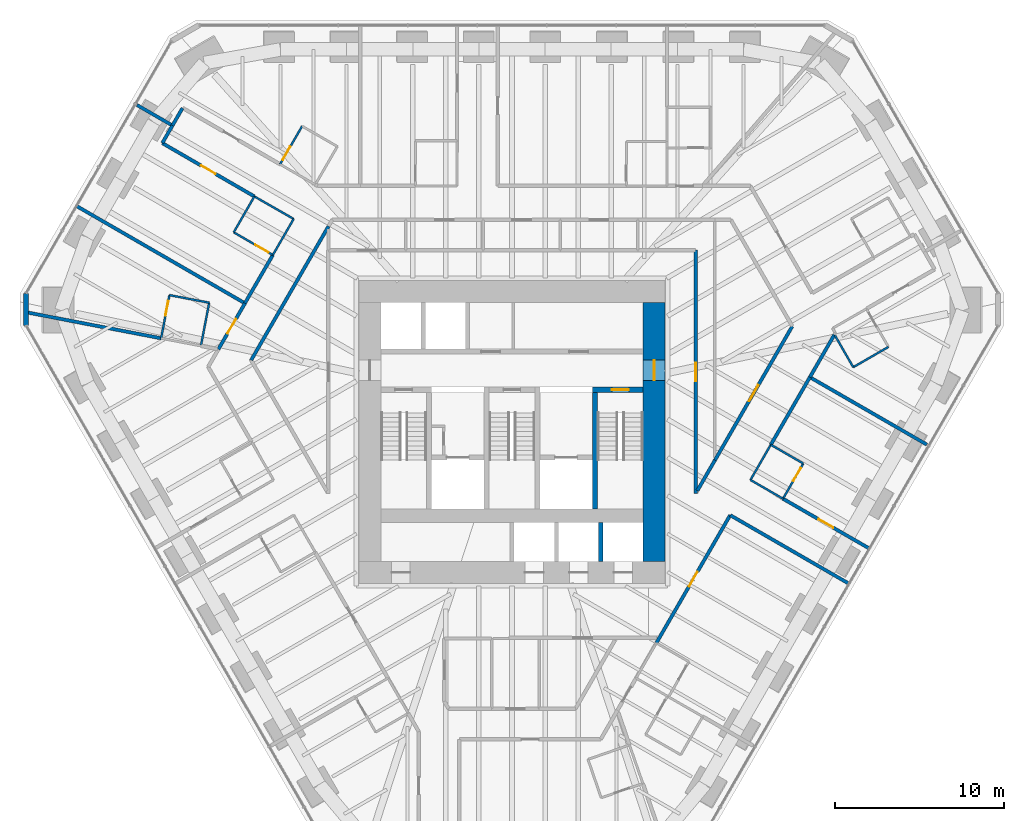
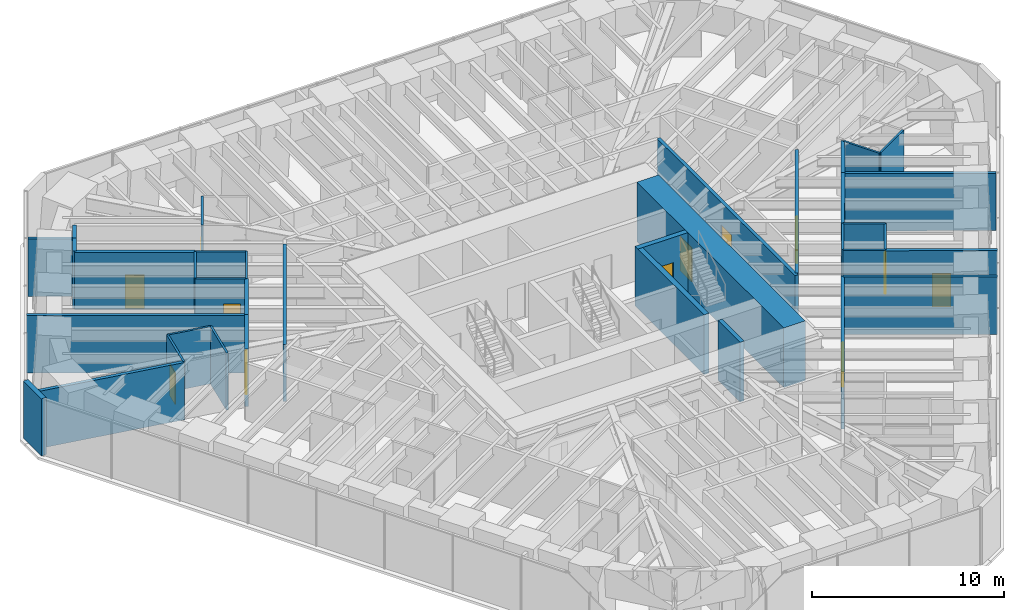
# One storey, part 13 of 17: 37 walls, 12 doors, 12 openings.
"""IFC4 building model written with IfcOpenShell, lengths in metres."""

from ifc_helpers import new_model, si_unit, direction, frame, frame_2d, origin, place, context, subcontext, project, spatial, rectangle, extrude, material, layer, layer_set, type_object, element, fill, save


model = new_model("IFC4")

# Units and contexts
model_context = context("Model", 3, precision=1e-05, world=origin(), true_north=direction((0.0, 1.0)))
body_context = subcontext(model_context, "Body", "Model", "MODEL_VIEW")
ifc_project = project(units=[si_unit("LENGTHUNIT", "METRE"), si_unit("AREAUNIT", "SQUARE_METRE"), si_unit("VOLUMEUNIT", "CUBIC_METRE"), si_unit("PLANEANGLEUNIT", "RADIAN"), si_unit("MASSUNIT", "GRAM", prefix="KILO")], contexts=[model_context])

# Site, building, storey
site_placement = place(None, origin())
site = spatial("IfcSite", under=ifc_project, at=site_placement, CompositionType="ELEMENT")
building_placement = place(site_placement, origin())
building = spatial("IfcBuilding", under=site, at=building_placement, Name="Sandreach Pilgrim Tower", CompositionType="ELEMENT")
storey_placement = place(building_placement, frame((0.0, 0.0, 150.0)))
storey = spatial("IfcBuildingStorey", under=building, at=storey_placement, Name="L37", CompositionType="ELEMENT", Elevation=150.0)

# Wall, opening, door
ifc_material_1 = material(Name="Moisture-resistant gypsum board on steel studs", Category="steel")
ifc_layer_1 = layer(ifc_material_1, 0.1201171875)
ifc_layer_set_1 = layer_set([ifc_layer_1], Name="Bathroom partition 120")
wall_type_1 = type_object("IfcWallType", Name="Bathroom partition 120", PredefinedType="PARTITIONING", material=ifc_layer_set_1)
wall_1_placement = place(storey_placement, frame((-20.239990234375, 6.5400390625, 0.0), z_axis=(0.0, 0.0, 1.0), x_axis=(-0.188697442844, -0.982035271802, 0.0)))
wall_1 = element("IfcWall", 1, at=wall_1_placement, inside=storey, type_object=wall_type_1, Name="Bathroom partition L37-007", PredefinedType="PARTITIONING", context=body_context, shape_type="SweptSolid", body=[
    extrude(rectangle(XDim=2.5966796875, YDim=0.1201171875, at=frame_2d((1.29833984375, 0.0))), origin(), (0.0, 0.0, 1.0), 3.639892578125),
])
opening_1_placement = place(wall_1_placement, frame((0.35009765625, 0.0, 0.0)))
opening_1 = element("IfcOpeningElement", 2, at=opening_1_placement, cuts=wall_1, Name="Opening D09-14B", PredefinedType="OPENING", context=body_context, shape_type="SweptSolid", body=[
    extrude(rectangle(XDim=0.89990234375, YDim=2.030029296875, at=frame_2d((0.449951171875, 1.01513671875))), frame((0.0, 0.06005859375, 0.0), z_axis=(0.0, -1.0, 0.0), x_axis=(1.0, 0.0, 0.0)), (0.0, 0.0, 1.0), 0.1201171875),
])
ifc_material_2 = material(Name="Timber door, steel frame", Category="steel")
door_type_1 = type_object("IfcDoorType", Name="Bathroom door", OperationType="SINGLE_SWING_LEFT", PredefinedType="DOOR", material=ifc_material_2)
door_1_placement = place(opening_1_placement, origin())
door_1 = element("IfcDoor", 3, at=door_1_placement, inside=storey, type_object=door_type_1, Name="Door 3714B", OperationType="SINGLE_SWING_LEFT", OverallHeight=2.030029296875, OverallWidth=0.89990234375, PredefinedType="DOOR", context=body_context, shape_type="SweptSolid", body=[
    extrude(rectangle(XDim=0.89990234375, YDim=2.030029296875, at=frame_2d((0.449951171875, 1.01513671875))), frame((0.0, 0.02490234375, 0.0), z_axis=(0.0, -1.0, 0.0), x_axis=(1.0, 0.0, 0.0)), (0.0, 0.0, 1.0), 0.050048828125),
])
fill(opening_1, door_1)

# Walls
wall_2_placement = place(storey_placement, frame((-18.3798828125, 3.5400390625, 0.0), z_axis=(0.0, 0.0, 1.0), x_axis=(0.188697442844, 0.982035271802, 0.0)))
element("IfcWall", 4, at=wall_2_placement, inside=storey, type_object=wall_type_1, Name="Bathroom partition L37-013", PredefinedType="PARTITIONING", context=body_context, shape_type="SweptSolid", body=[
    extrude(rectangle(XDim=2.5966796875, YDim=0.1201171875, at=frame_2d((1.29833984375, 0.0))), origin(), (0.0, 0.0, 1.0), 3.639892578125),
])
wall_3_placement = place(storey_placement, frame((-17.889892578125, 6.090087890625, 0.0), z_axis=(0.0, 0.0, 1.0), x_axis=(-0.982160404505, 0.18804504732, 0.0)))
element("IfcWall", 5, at=wall_3_placement, inside=storey, type_object=wall_type_1, Name="Bathroom partition L37-016", PredefinedType="PARTITIONING", context=body_context, shape_type="SweptSolid", body=[
    extrude(rectangle(XDim=2.392822265625, YDim=0.1201171875, at=frame_2d((1.1962890625, 0.0))), origin(), (0.0, 0.0, 1.0), 3.639892578125),
])

# Wall, opening, door
wall_4_placement = place(storey_placement, frame((-16.43994140625, 10.25, 0.0), z_axis=(0.0, 0.0, 1.0), x_axis=(0.864966903181, -0.501828911485, 0.0)))
wall_4 = element("IfcWall", 6, at=wall_4_placement, inside=storey, type_object=wall_type_1, Name="Bathroom partition L37-019", PredefinedType="PARTITIONING", context=body_context, shape_type="SweptSolid", body=[
    extrude(rectangle(XDim=2.67041015625, YDim=0.1201171875, at=frame_2d((1.335205078125, 0.0))), origin(), (0.0, 0.0, 1.0), 3.639892578125),
])
opening_2_placement = place(wall_4_placement, frame((1.470458984375, 0.0, 0.0)))
opening_2 = element("IfcOpeningElement", 7, at=opening_2_placement, cuts=wall_4, Name="Opening D09-15B", PredefinedType="OPENING", context=body_context, shape_type="SweptSolid", body=[
    extrude(rectangle(XDim=0.89990234375, YDim=2.030029296875, at=frame_2d((0.449951171875, 1.01513671875))), frame((0.0, 0.06005859375, 0.0), z_axis=(0.0, -1.0, 0.0), x_axis=(1.0, 0.0, 0.0)), (0.0, 0.0, 1.0), 0.1201171875),
])
door_2_placement = place(opening_2_placement, origin())
door_2 = element("IfcDoor", 8, at=door_2_placement, inside=storey, type_object=door_type_1, Name="Door 3715B", OperationType="SINGLE_SWING_RIGHT", OverallHeight=2.030029296875, OverallWidth=0.89990234375, PredefinedType="DOOR", context=body_context, shape_type="SweptSolid", body=[
    extrude(rectangle(XDim=0.89990234375, YDim=2.030029296875, at=frame_2d((0.449951171875, 1.01513671875))), frame((0.0, 0.02490234375, 0.0), z_axis=(0.0, -1.0, 0.0), x_axis=(1.0, 0.0, 0.0)), (0.0, 0.0, 1.0), 0.050048828125),
])
fill(opening_2, door_2)

# Walls
wall_5_placement = place(storey_placement, frame((-15.219970703125, 12.3701171875, 0.0), z_axis=(0.0, 0.0, 1.0), x_axis=(-0.498748634132, -0.866746675766, 0.0)))
element("IfcWall", 9, at=wall_5_placement, inside=storey, type_object=wall_type_1, Name="Bathroom partition L37-025", PredefinedType="PARTITIONING", context=body_context, shape_type="SweptSolid", body=[
    extrude(rectangle(XDim=2.446044921875, YDim=0.1201171875, at=frame_2d((1.22314453125, 0.0))), origin(), (0.0, 0.0, 1.0), 3.639892578125),
])
wall_6_placement = place(storey_placement, frame((-15.219970703125, 12.3701171875, 0.0), z_axis=(0.0, 0.0, 1.0), x_axis=(0.867545659855, -0.497357545501, 0.0)))
element("IfcWall", 10, at=wall_6_placement, inside=storey, type_object=wall_type_1, Name="Bathroom partition L37-026", PredefinedType="PARTITIONING", context=body_context, shape_type="SweptSolid", body=[
    extrude(rectangle(XDim=2.67431640625, YDim=0.1201171875, at=frame_2d((1.337158203125, 0.0))), origin(), (0.0, 0.0, 1.0), 3.639892578125),
])
wall_7_placement = place(storey_placement, frame((-14.1298828125, 8.909912109375, 0.0), z_axis=(0.0, 0.0, 1.0), x_axis=(0.500046071023, 0.865998803033, 0.0)))
element("IfcWall", 11, at=wall_7_placement, inside=storey, type_object=wall_type_1, Name="Bathroom partition L37-030", PredefinedType="PARTITIONING", context=body_context, shape_type="SweptSolid", body=[
    extrude(rectangle(XDim=2.459716796875, YDim=0.1201171875, at=frame_2d((1.22998046875, 0.0))), origin(), (0.0, 0.0, 1.0), 3.639892578125),
])

# Wall, opening, door
wall_8_placement = place(storey_placement, frame((-12.39990234375, 16.52001953125, 0.0), z_axis=(0.0, 0.0, 1.0), x_axis=(-0.500291685314, -0.865856933682, 0.0)))
wall_8 = element("IfcWall", 12, at=wall_8_placement, inside=storey, type_object=wall_type_1, Name="Bathroom partition L37-034", PredefinedType="PARTITIONING", context=body_context, shape_type="SweptSolid", body=[
    extrude(rectangle(XDim=2.5986328125, YDim=0.1201171875, at=frame_2d((1.29931640625, 0.0))), origin(), (0.0, 0.0, 1.0), 3.639892578125),
])
opening_3_placement = place(wall_8_placement, frame((1.398681640625, 0.0, 0.0)))
opening_3 = element("IfcOpeningElement", 13, at=opening_3_placement, cuts=wall_8, Name="Opening D09-01B", PredefinedType="OPENING", context=body_context, shape_type="SweptSolid", body=[
    extrude(rectangle(XDim=0.89990234375, YDim=2.030029296875, at=frame_2d((0.449951171875, 1.01513671875))), frame((0.0, 0.06005859375, 0.0), z_axis=(0.0, -1.0, 0.0), x_axis=(1.0, 0.0, 0.0)), (0.0, 0.0, 1.0), 0.1201171875),
])
door_3_placement = place(opening_3_placement, origin())
door_3 = element("IfcDoor", 14, at=door_3_placement, inside=storey, type_object=door_type_1, Name="Door 3701B", OperationType="SINGLE_SWING_RIGHT", OverallHeight=2.030029296875, OverallWidth=0.89990234375, PredefinedType="DOOR", context=body_context, shape_type="SweptSolid", body=[
    extrude(rectangle(XDim=0.89990234375, YDim=2.030029296875, at=frame_2d((0.449951171875, 1.01513671875))), frame((0.0, 0.02490234375, 0.0), z_axis=(0.0, -1.0, 0.0), x_axis=(1.0, 0.0, 0.0)), (0.0, 0.0, 1.0), 0.050048828125),
])
fill(opening_3, door_3)

# Walls
wall_9_placement = place(storey_placement, frame((14.090087890625, -4.3798828125, 0.0), z_axis=(0.0, 0.0, 1.0), x_axis=(0.499737123639, 0.866177122335, 0.0)))
element("IfcWall", 15, at=wall_9_placement, inside=storey, type_object=wall_type_1, Name="Bathroom partition L37-126", PredefinedType="PARTITIONING", context=body_context, shape_type="SweptSolid", body=[
    extrude(rectangle(XDim=2.401123046875, YDim=0.1201171875, at=frame_2d((1.20068359375, 0.0))), origin(), (0.0, 0.0, 1.0), 3.639892578125),
])
wall_10_placement = place(storey_placement, frame((14.090087890625, -4.3798828125, 0.0), z_axis=(0.0, 0.0, 1.0), x_axis=(0.865705017107, -0.500554515868, 0.0)))
element("IfcWall", 16, at=wall_10_placement, inside=storey, type_object=wall_type_1, Name="Bathroom partition L37-127", PredefinedType="PARTITIONING", context=body_context, shape_type="SweptSolid", body=[
    extrude(rectangle(XDim=2.2177734375, YDim=0.1201171875, at=frame_2d((1.10888671875, 0.0))), origin(), (0.0, 0.0, 1.0), 3.639892578125),
])

# Wall, opening, door
wall_11_placement = place(storey_placement, frame((16.010009765625, -5.489990234375, 0.0), z_axis=(0.0, 0.0, 1.0), x_axis=(0.499693115345, 0.866202511239, 0.0)))
wall_11 = element("IfcWall", 17, at=wall_11_placement, inside=storey, type_object=wall_type_1, Name="Bathroom partition L37-129", PredefinedType="PARTITIONING", context=body_context, shape_type="SweptSolid", body=[
    extrude(rectangle(XDim=2.4013671875, YDim=0.1201171875, at=frame_2d((1.20068359375, 0.0))), origin(), (0.0, 0.0, 1.0), 3.639892578125),
])
opening_4_placement = place(wall_11_placement, frame((1.201416015625, 0.0, 0.0)))
opening_4 = element("IfcOpeningElement", 18, at=opening_4_placement, cuts=wall_11, Name="Opening D09-07B", PredefinedType="OPENING", context=body_context, shape_type="SweptSolid", body=[
    extrude(rectangle(XDim=0.89990234375, YDim=2.030029296875, at=frame_2d((0.449951171875, 1.01513671875))), frame((0.0, 0.06005859375, 0.0), z_axis=(0.0, -1.0, 0.0), x_axis=(1.0, 0.0, 0.0)), (0.0, 0.0, 1.0), 0.1201171875),
])
door_4_placement = place(opening_4_placement, origin())
door_4 = element("IfcDoor", 19, at=door_4_placement, inside=storey, type_object=door_type_1, Name="Door 3707B", OperationType="SINGLE_SWING_RIGHT", OverallHeight=2.030029296875, OverallWidth=0.89990234375, PredefinedType="DOOR", context=body_context, shape_type="SweptSolid", body=[
    extrude(rectangle(XDim=0.89990234375, YDim=2.030029296875, at=frame_2d((0.449951171875, 1.01513671875))), frame((0.0, 0.02490234375, 0.0), z_axis=(0.0, -1.0, 0.0), x_axis=(1.0, 0.0, 0.0)), (0.0, 0.0, 1.0), 0.050048828125),
])
fill(opening_4, door_4)

# Walls
wall_12_placement = place(storey_placement, frame((17.2099609375, -3.409912109375, 0.0), z_axis=(0.0, 0.0, 1.0), x_axis=(-0.86575271903, 0.500472006703, 0.0)))
element("IfcWall", 20, at=wall_12_placement, inside=storey, type_object=wall_type_1, Name="Bathroom partition L37-132", PredefinedType="PARTITIONING", context=body_context, shape_type="SweptSolid", body=[
    extrude(rectangle(XDim=2.217529296875, YDim=0.1201171875, at=frame_2d((1.10888671875, 0.0))), origin(), (0.0, 0.0, 1.0), 3.639892578125),
])
wall_13_placement = place(storey_placement, frame((19.074951171875, 4.166748046875, 0.0), z_axis=(0.0, 0.0, 1.0), x_axis=(0.498504844819, -0.866886912862, 0.0)))
element("IfcWall", 21, at=wall_13_placement, inside=storey, type_object=wall_type_1, Name="Bathroom partition L37-138", PredefinedType="PARTITIONING", context=body_context, shape_type="SweptSolid", body=[
    extrude(rectangle(XDim=2.176513671875, YDim=0.1201171875, at=frame_2d((1.08837890625, 0.0))), origin(), (0.0, 0.0, 1.0), 3.639892578125),
])
wall_14_placement = place(storey_placement, frame((20.159912109375, 2.280029296875, 0.0), z_axis=(0.0, 0.0, 1.0), x_axis=(0.866202511239, 0.499693115345, 0.0)))
element("IfcWall", 22, at=wall_14_placement, inside=storey, type_object=wall_type_1, Name="Bathroom partition L37-142", PredefinedType="PARTITIONING", context=body_context, shape_type="SweptSolid", body=[
    extrude(rectangle(XDim=2.4013671875, YDim=0.1201171875, at=frame_2d((1.20068359375, 0.0))), origin(), (0.0, 0.0, 1.0), 3.639892578125),
])
ifc_material_3 = material(Name="Concrete 10000 psi", Category="concrete")
ifc_layer_2 = layer(ifc_material_3, 0.300048828125)
ifc_layer_set_2 = layer_set([ifc_layer_2], Name="Core inner wall 300")
wall_type_2 = type_object("IfcWallType", Name="Core inner wall 300", PredefinedType="SHEAR", material=ifc_layer_set_2)
wall_15_placement = place(storey_placement, frame((4.89990234375, -6.10009765625, 0.0), z_axis=(0.0, 0.0, 1.0), x_axis=(0.0, 1.0, 0.0)))
element("IfcWall", 23, at=wall_15_placement, inside=storey, type_object=wall_type_2, Name="Core wall I3 L37", PredefinedType="SHEAR", context=body_context, shape_type="SweptSolid", body=[
    extrude(rectangle(XDim=7.2001953125, YDim=0.300048828125, at=frame_2d((3.60009765625, 0.0))), origin(), (0.0, 0.0, 1.0), 3.800048828125),
])

# Wall, opening, door
wall_16_placement = place(storey_placement, frame((4.75, 0.949951171875, 0.0), z_axis=(0.0, 0.0, 1.0), x_axis=(1.0, 0.0, 0.0)))
wall_16 = element("IfcWall", 24, at=wall_16_placement, inside=storey, type_object=wall_type_2, Name="Core wall SN2 L37", PredefinedType="SHEAR", context=body_context, shape_type="SweptSolid", body=[
    extrude(rectangle(XDim=3.0, YDim=0.300048828125, at=frame_2d((1.5, 0.0))), origin(), (0.0, 0.0, 1.0), 3.800048828125),
])
opening_5_placement = place(wall_16_placement, frame((1.14990234375, 0.0, 0.0)))
opening_5 = element("IfcOpeningElement", 25, at=opening_5_placement, cuts=wall_16, Name="Opening D10S-ST2", PredefinedType="OPENING", context=body_context, shape_type="SweptSolid", body=[
    extrude(rectangle(XDim=1.0, YDim=2.199951171875, at=frame_2d((0.5, 1.10009765625))), frame((0.0, 0.14990234375, 0.0), z_axis=(0.0, -1.0, 0.0), x_axis=(1.0, 0.0, 0.0)), (0.0, 0.0, 1.0), 0.300048828125),
])
ifc_material_4 = material(Name="Steel door and frame", Category="steel")
door_type_2 = type_object("IfcDoorType", Name="Stair door", OperationType="SINGLE_SWING_LEFT", PredefinedType="DOOR", material=ifc_material_4)
door_5_placement = place(opening_5_placement, origin())
door_5 = element("IfcDoor", 26, at=door_5_placement, inside=storey, type_object=door_type_2, Name="Stair door ST2 L37", OperationType="SINGLE_SWING_RIGHT", OverallHeight=2.199951171875, OverallWidth=1.0, PredefinedType="DOOR", context=body_context, shape_type="SweptSolid", body=[
    extrude(rectangle(XDim=1.0, YDim=2.199951171875, at=frame_2d((0.5, 1.10009765625))), frame((0.0, 0.02490234375, 0.0), z_axis=(0.0, -1.0, 0.0), x_axis=(1.0, 0.0, 0.0)), (0.0, 0.0, 1.0), 0.050048828125),
])
fill(opening_5, door_5)

ifc_material_5 = material(Name="Concrete 10000 psi", Category="concrete")
ifc_layer_3 = layer(ifc_material_5, 1.300048828125)
ifc_layer_set_3 = layer_set([ifc_layer_3], Name="Core wall 1300")
wall_type_3 = type_object("IfcWallType", Name="Core wall 1300", PredefinedType="SHEAR", material=ifc_layer_set_3)
wall_17_placement = place(storey_placement, frame((8.39990234375, -9.199951171875, 0.0), z_axis=(0.0, 0.0, 1.0), x_axis=(0.0, 1.0, 0.0)))
wall_17 = element("IfcWall", 27, at=wall_17_placement, inside=storey, type_object=wall_type_3, Name="Core wall E L37", PredefinedType="SHEAR", context=body_context, shape_type="SweptSolid", body=[
    extrude(rectangle(XDim=15.300048828125, YDim=1.300048828125, at=frame_2d((7.64990234375, 0.0))), origin(), (0.0, 0.0, 1.0), 3.800048828125),
])
opening_6_placement = place(wall_17_placement, frame((10.699951171875, 0.0, 0.0)))
opening_6 = element("IfcOpeningElement", 28, at=opening_6_placement, cuts=wall_17, Name="Opening D12F-E", PredefinedType="OPENING", context=body_context, shape_type="SweptSolid", body=[
    extrude(rectangle(XDim=1.199951171875, YDim=2.199951171875, at=frame_2d((0.60009765625, 1.10009765625))), frame((0.0, 0.64990234375, 0.0), z_axis=(0.0, -1.0, 0.0), x_axis=(1.0, 0.0, 0.0)), (0.0, 0.0, 1.0), 1.300048828125),
])
ifc_material_6 = material(Name="Steel door and frame", Category="steel")
door_type_3 = type_object("IfcDoorType", Name="Fire lobby door", OperationType="SINGLE_SWING_LEFT", PredefinedType="DOOR", material=ifc_material_6)
door_6_placement = place(opening_6_placement, origin())
door_6 = element("IfcDoor", 29, at=door_6_placement, inside=storey, type_object=door_type_3, Name="Fire service lobby door E L37", OperationType="SINGLE_SWING_RIGHT", OverallHeight=2.199951171875, OverallWidth=1.199951171875, PredefinedType="DOOR", context=body_context, shape_type="SweptSolid", body=[
    extrude(rectangle(XDim=1.199951171875, YDim=2.199951171875, at=frame_2d((0.60009765625, 1.10009765625))), frame((0.0, 0.02490234375, 0.0), z_axis=(0.0, -1.0, 0.0), x_axis=(1.0, 0.0, 0.0)), (0.0, 0.0, 1.0), 0.050048828125),
])
fill(opening_6, door_6)

ifc_material_7 = material(Name="Gypsum board on steel studs, two layers each side", Category="steel")
ifc_layer_4 = layer(ifc_material_7, 0.199951171875)
ifc_layer_set_4 = layer_set([ifc_layer_4], Name="Corridor wall 200")
wall_type_4 = type_object("IfcWallType", Name="Corridor wall 200", PredefinedType="PARTITIONING", material=ifc_layer_set_4)
wall_18_placement = place(storey_placement, frame((-20.659912109375, 15.52001953125, 0.0), z_axis=(0.0, 0.0, 1.0), x_axis=(0.86537753305, -0.501120469839, 0.0)))
wall_18 = element("IfcWall", 30, at=wall_18_placement, inside=storey, type_object=wall_type_4, Name="Corridor wall L37-005", PredefinedType="PARTITIONING", context=body_context, shape_type="SweptSolid", body=[
    extrude(rectangle(XDim=6.2861328125, YDim=0.199951171875, at=frame_2d((3.14306640625, 0.0))), origin(), (0.0, 0.0, 1.0), 3.639892578125),
])
opening_7_placement = place(wall_18_placement, frame((2.64306640625, 0.0, 0.0)))
opening_7 = element("IfcOpeningElement", 31, at=opening_7_placement, cuts=wall_18, Name="Opening D10-15", PredefinedType="OPENING", context=body_context, shape_type="SweptSolid", body=[
    extrude(rectangle(XDim=1.0, YDim=2.1298828125, at=frame_2d((0.5, 1.06494140625))), frame((0.0, 0.10009765625, 0.0), z_axis=(0.0, -1.0, 0.0), x_axis=(1.0, 0.0, 0.0)), (0.0, 0.0, 1.0), 0.199951171875),
])
ifc_material_8 = material(Name="Steel door and frame", Category="steel")
door_type_4 = type_object("IfcDoorType", Name="Guest room entry door", OperationType="SINGLE_SWING_LEFT", PredefinedType="DOOR", material=ifc_material_8)
door_7_placement = place(opening_7_placement, origin())
door_7 = element("IfcDoor", 32, at=door_7_placement, inside=storey, type_object=door_type_4, Name="Door 3715", OperationType="SINGLE_SWING_LEFT", OverallHeight=2.1298828125, OverallWidth=1.0, PredefinedType="DOOR", context=body_context, shape_type="SweptSolid", body=[
    extrude(rectangle(XDim=1.0, YDim=2.1298828125, at=frame_2d((0.5, 1.06494140625))), frame((0.0, 0.02490234375, 0.0), z_axis=(0.0, -1.0, 0.0), x_axis=(1.0, 0.0, 0.0)), (0.0, 0.0, 1.0), 0.050048828125),
])
fill(opening_7, door_7)

# Walls
wall_19_placement = place(storey_placement, frame((-20.655029296875, 15.528564453125, 0.0), z_axis=(0.0, 0.0, 1.0), x_axis=(0.49964553876, 0.86622995538, 0.0)))
element("IfcWall", 33, at=wall_19_placement, inside=storey, type_object=wall_type_4, Name="Corridor wall L37-006", PredefinedType="PARTITIONING", context=body_context, shape_type="SweptSolid", body=[
    extrude(rectangle(XDim=1.190673828125, YDim=0.199951171875, at=frame_2d((0.59521484375, 0.0))), origin(), (0.0, 0.0, 1.0), 3.639892578125),
])
wall_20_placement = place(storey_placement, frame((-20.06005859375, 16.56005859375, 0.0), z_axis=(0.0, 0.0, 1.0), x_axis=(0.499704629046, 0.866195869137, 0.0)))
element("IfcWall", 34, at=wall_20_placement, inside=storey, type_object=wall_type_4, Name="Corridor wall L37-009", PredefinedType="PARTITIONING", context=body_context, shape_type="SweptSolid", body=[
    extrude(rectangle(XDim=1.185791015625, YDim=0.199951171875, at=frame_2d((0.5927734375, 0.0))), origin(), (0.0, 0.0, 1.0), 3.639892578125),
])

# Wall, opening, door
wall_21_placement = place(storey_placement, frame((-17.3486328125, 3.33935546875, 0.0), z_axis=(0.0, 0.0, 1.0), x_axis=(0.500803353914, 0.865561090108, 0.0)))
wall_21 = element("IfcWall", 35, at=wall_21_placement, inside=storey, type_object=wall_type_4, Name="Corridor wall L37-017", PredefinedType="PARTITIONING", context=body_context, shape_type="SweptSolid", body=[
    extrude(rectangle(XDim=3.140380859375, YDim=0.199951171875, at=frame_2d((1.5703125, 0.0))), origin(), (0.0, 0.0, 1.0), 3.639892578125),
])
opening_8_placement = place(wall_21_placement, frame((1.0703125, 0.0, 0.0)))
opening_8 = element("IfcOpeningElement", 36, at=opening_8_placement, cuts=wall_21, Name="Opening D10-14", PredefinedType="OPENING", context=body_context, shape_type="SweptSolid", body=[
    extrude(rectangle(XDim=1.0, YDim=2.1298828125, at=frame_2d((0.5, 1.06494140625))), frame((0.0, 0.10009765625, 0.0), z_axis=(0.0, -1.0, 0.0), x_axis=(1.0, 0.0, 0.0)), (0.0, 0.0, 1.0), 0.199951171875),
])
door_8_placement = place(opening_8_placement, origin())
door_8 = element("IfcDoor", 37, at=door_8_placement, inside=storey, type_object=door_type_4, Name="Door 3714", OperationType="SINGLE_SWING_LEFT", OverallHeight=2.1298828125, OverallWidth=1.0, PredefinedType="DOOR", context=body_context, shape_type="SweptSolid", body=[
    extrude(rectangle(XDim=1.0, YDim=2.1298828125, at=frame_2d((0.5, 1.06494140625))), frame((0.0, 0.02490234375, 0.0), z_axis=(0.0, -1.0, 0.0), x_axis=(1.0, 0.0, 0.0)), (0.0, 0.0, 1.0), 0.050048828125),
])
fill(opening_8, door_8)

# Walls
wall_22_placement = place(storey_placement, frame((-15.780029296875, 6.06005859375, 0.0), z_axis=(0.0, 0.0, 1.0), x_axis=(0.501088872721, 0.865395829453, 0.0)))
element("IfcWall", 38, at=wall_22_placement, inside=storey, type_object=wall_type_4, Name="Corridor wall L37-021", PredefinedType="PARTITIONING", context=body_context, shape_type="SweptSolid", body=[
    extrude(rectangle(XDim=3.293212890625, YDim=0.199951171875, at=frame_2d((1.646484375, 0.0))), origin(), (0.0, 0.0, 1.0), 3.639892578125),
])
wall_23_placement = place(storey_placement, frame((-15.409912109375, 2.699951171875, 0.0), z_axis=(0.0, 0.0, 1.0), x_axis=(0.500237524763, 0.865888225361, 0.0)))
element("IfcWall", 39, at=wall_23_placement, inside=storey, type_object=wall_type_4, Name="Corridor wall L37-022", PredefinedType="PARTITIONING", context=body_context, shape_type="SweptSolid", body=[
    extrude(rectangle(XDim=9.13525390625, YDim=0.199951171875, at=frame_2d((4.567626953125, 0.0))), origin(), (0.0, 0.0, 1.0), 3.639892578125),
])

# Wall, opening, door
wall_24_placement = place(storey_placement, frame((8.530029296875, -14.010009765625, 0.0), z_axis=(0.0, 0.0, 1.0), x_axis=(0.500072306674, 0.865983653482, 0.0)))
wall_24 = element("IfcWall", 40, at=wall_24_placement, inside=storey, type_object=wall_type_4, Name="Corridor wall L37-100", PredefinedType="PARTITIONING", context=body_context, shape_type="SweptSolid", body=[
    extrude(rectangle(XDim=8.718505859375, YDim=0.199951171875, at=frame_2d((4.359375, 0.0))), origin(), (0.0, 0.0, 1.0), 3.639892578125),
])
opening_9_placement = place(wall_24_placement, frame((3.859375, 0.0, 0.0)))
opening_9 = element("IfcOpeningElement", 41, at=opening_9_placement, cuts=wall_24, Name="Opening D10-08", PredefinedType="OPENING", context=body_context, shape_type="SweptSolid", body=[
    extrude(rectangle(XDim=1.0, YDim=2.1298828125, at=frame_2d((0.5, 1.06494140625))), frame((0.0, 0.10009765625, 0.0), z_axis=(0.0, -1.0, 0.0), x_axis=(1.0, 0.0, 0.0)), (0.0, 0.0, 1.0), 0.199951171875),
])
door_9_placement = place(opening_9_placement, origin())
door_9 = element("IfcDoor", 42, at=door_9_placement, inside=storey, type_object=door_type_4, Name="Door 3708", OperationType="SINGLE_SWING_LEFT", OverallHeight=2.1298828125, OverallWidth=1.0, PredefinedType="DOOR", context=body_context, shape_type="SweptSolid", body=[
    extrude(rectangle(XDim=1.0, YDim=2.1298828125, at=frame_2d((0.5, 1.06494140625))), frame((0.0, 0.02490234375, 0.0), z_axis=(0.0, -1.0, 0.0), x_axis=(1.0, 0.0, 0.0)), (0.0, 0.0, 1.0), 0.050048828125),
])
fill(opening_9, door_9)

wall_25_placement = place(storey_placement, frame((10.85009765625, -5.18994140625, 0.0), z_axis=(0.0, 0.0, 1.0), x_axis=(0.0, 1.0, 0.0)))
wall_25 = element("IfcWall", 43, at=wall_25_placement, inside=storey, type_object=wall_type_4, Name="Corridor wall L37-115", PredefinedType="PARTITIONING", context=body_context, shape_type="SweptSolid", body=[
    extrude(rectangle(XDim=14.389892578125, YDim=0.199951171875, at=frame_2d((7.19482421875, 0.0))), origin(), (0.0, 0.0, 1.0), 3.639892578125),
])
opening_10_placement = place(wall_25_placement, frame((6.64501953125, 0.0, 0.0)))
opening_10 = element("IfcOpeningElement", 44, at=opening_10_placement, cuts=wall_25, Name="Opening D11H-M06", PredefinedType="OPENING", context=body_context, shape_type="SweptSolid", body=[
    extrude(rectangle(XDim=1.10009765625, YDim=2.199951171875, at=frame_2d((0.550048828125, 1.10009765625))), frame((0.0, 0.10009765625, 0.0), z_axis=(0.0, -1.0, 0.0), x_axis=(1.0, 0.0, 0.0)), (0.0, 0.0, 1.0), 0.199951171875),
])
ifc_material_9 = material(Name="Steel door and frame", Category="steel")
door_type_5 = type_object("IfcDoorType", Name="Back of house door", OperationType="SINGLE_SWING_LEFT", PredefinedType="DOOR", material=ifc_material_9)
door_10_placement = place(opening_10_placement, origin())
door_10 = element("IfcDoor", 45, at=door_10_placement, inside=storey, type_object=door_type_5, Name="Door 37M06", OperationType="SINGLE_SWING_LEFT", OverallHeight=2.199951171875, OverallWidth=1.10009765625, PredefinedType="DOOR", context=body_context, shape_type="SweptSolid", body=[
    extrude(rectangle(XDim=1.10009765625, YDim=2.199951171875, at=frame_2d((0.550048828125, 1.10009765625))), frame((0.0, 0.02490234375, 0.0), z_axis=(0.0, -1.0, 0.0), x_axis=(1.0, 0.0, 0.0)), (0.0, 0.0, 1.0), 0.050048828125),
])
fill(opening_10, door_10)

# Walls
wall_26_placement = place(storey_placement, frame((11.989990234375, -3.2099609375, 0.0), z_axis=(0.0, 0.0, 1.0), x_axis=(-0.498943070116, -0.866634763198, 0.0)))
element("IfcWall", 46, at=wall_26_placement, inside=storey, type_object=wall_type_4, Name="Corridor wall L37-120", PredefinedType="PARTITIONING", context=body_context, shape_type="SweptSolid", body=[
    extrude(rectangle(XDim=2.07958984375, YDim=0.199951171875, at=frame_2d((1.039794921875, 0.0))), origin(), (0.0, 0.0, 1.0), 3.639892578125),
])
wall_27_placement = place(storey_placement, frame((12.898681640625, -6.465087890625, 0.0), z_axis=(0.0, 0.0, 1.0), x_axis=(0.866184578051, -0.499724200681, 0.0)))
element("IfcWall", 47, at=wall_27_placement, inside=storey, type_object=wall_type_4, Name="Corridor wall L37-123", PredefinedType="PARTITIONING", context=body_context, shape_type="SweptSolid", body=[
    extrude(rectangle(XDim=8.064453125, YDim=0.199951171875, at=frame_2d((4.0322265625, 0.0))), origin(), (0.0, 0.0, 1.0), 3.639892578125),
])
wall_28_placement = place(storey_placement, frame((15.2900390625, -2.300048828125, 0.0), z_axis=(0.0, 0.0, 1.0), x_axis=(0.501046707413, 0.865420242998, 0.0)))
element("IfcWall", 48, at=wall_28_placement, inside=storey, type_object=wall_type_4, Name="Corridor wall L37-128", PredefinedType="PARTITIONING", context=body_context, shape_type="SweptSolid", body=[
    extrude(rectangle(XDim=4.6103515625, YDim=0.199951171875, at=frame_2d((2.30517578125, 0.0))), origin(), (0.0, 0.0, 1.0), 3.639892578125),
])

# Wall, opening, door
wall_29_placement = place(storey_placement, frame((16.010009765625, -5.489990234375, 0.0), z_axis=(0.0, 0.0, 1.0), x_axis=(0.866351401603, -0.499434929635, 0.0)))
wall_29 = element("IfcWall", 49, at=wall_29_placement, inside=storey, type_object=wall_type_4, Name="Corridor wall L37-130", PredefinedType="PARTITIONING", context=body_context, shape_type="SweptSolid", body=[
    extrude(rectangle(XDim=5.856689453125, YDim=0.199951171875, at=frame_2d((2.92822265625, 0.0))), origin(), (0.0, 0.0, 1.0), 3.639892578125),
])
opening_11_placement = place(wall_29_placement, frame((2.428466796875, 0.0, 0.0)))
opening_11 = element("IfcOpeningElement", 50, at=opening_11_placement, cuts=wall_29, Name="Opening D10-07", PredefinedType="OPENING", context=body_context, shape_type="SweptSolid", body=[
    extrude(rectangle(XDim=1.0, YDim=2.1298828125, at=frame_2d((0.5, 1.06494140625))), frame((0.0, 0.10009765625, 0.0), z_axis=(0.0, -1.0, 0.0), x_axis=(1.0, 0.0, 0.0)), (0.0, 0.0, 1.0), 0.199951171875),
])
door_11_placement = place(opening_11_placement, origin())
door_11 = element("IfcDoor", 51, at=door_11_placement, inside=storey, type_object=door_type_4, Name="Door 3707", OperationType="SINGLE_SWING_LEFT", OverallHeight=2.1298828125, OverallWidth=1.0, PredefinedType="DOOR", context=body_context, shape_type="SweptSolid", body=[
    extrude(rectangle(XDim=1.0, YDim=2.1298828125, at=frame_2d((0.5, 1.06494140625))), frame((0.0, 0.02490234375, 0.0), z_axis=(0.0, -1.0, 0.0), x_axis=(1.0, 0.0, 0.0)), (0.0, 0.0, 1.0), 0.050048828125),
])
fill(opening_11, door_11)

wall_30_placement = place(storey_placement, frame((16.56005859375, 4.699951171875, 0.0), z_axis=(0.0, 0.0, 1.0), x_axis=(-0.500269138002, -0.865869961116, 0.0)))
wall_30 = element("IfcWall", 52, at=wall_30_placement, inside=storey, type_object=wall_type_4, Name="Corridor wall L37-131", PredefinedType="PARTITIONING", context=body_context, shape_type="SweptSolid", body=[
    extrude(rectangle(XDim=9.13525390625, YDim=0.199951171875, at=frame_2d((4.567626953125, 0.0))), origin(), (0.0, 0.0, 1.0), 3.639892578125),
])
opening_12_placement = place(wall_30_placement, frame((4.017578125, 0.0, 0.0)))
opening_12 = element("IfcOpeningElement", 53, at=opening_12_placement, cuts=wall_30, Name="Opening D11H-M07", PredefinedType="OPENING", context=body_context, shape_type="SweptSolid", body=[
    extrude(rectangle(XDim=1.10009765625, YDim=2.199951171875, at=frame_2d((0.550048828125, 1.10009765625))), frame((0.0, 0.10009765625, 0.0), z_axis=(0.0, -1.0, 0.0), x_axis=(1.0, 0.0, 0.0)), (0.0, 0.0, 1.0), 0.199951171875),
])
door_12_placement = place(opening_12_placement, origin())
door_12 = element("IfcDoor", 54, at=door_12_placement, inside=storey, type_object=door_type_5, Name="Door 37M07", OperationType="SINGLE_SWING_LEFT", OverallHeight=2.199951171875, OverallWidth=1.10009765625, PredefinedType="DOOR", context=body_context, shape_type="SweptSolid", body=[
    extrude(rectangle(XDim=1.10009765625, YDim=2.199951171875, at=frame_2d((0.550048828125, 1.10009765625))), frame((0.0, 0.02490234375, 0.0), z_axis=(0.0, -1.0, 0.0), x_axis=(1.0, 0.0, 0.0)), (0.0, 0.0, 1.0), 0.050048828125),
])
fill(opening_12, door_12)

# Walls
wall_31_placement = place(storey_placement, frame((17.60009765625, 1.68994140625, 0.0), z_axis=(0.0, 0.0, 1.0), x_axis=(0.498714069474, 0.866766564254, 0.0)))
element("IfcWall", 55, at=wall_31_placement, inside=storey, type_object=wall_type_4, Name="Corridor wall L37-133", PredefinedType="PARTITIONING", context=body_context, shape_type="SweptSolid", body=[
    extrude(rectangle(XDim=2.907470703125, YDim=0.199951171875, at=frame_2d((1.45361328125, 0.0))), origin(), (0.0, 0.0, 1.0), 3.639892578125),
])
ifc_material_10 = material(Name="Double steel stud acoustic wall, gypsum board", Category="steel")
ifc_layer_5 = layer(ifc_material_10, 0.199951171875)
ifc_layer_set_5 = layer_set([ifc_layer_5], Name="Party wall 200")
wall_type_5 = type_object("IfcWallType", Name="Party wall 200", PredefinedType="PARTITIONING", material=ifc_layer_set_5)
wall_32_placement = place(storey_placement, frame((-28.740478515625, 5.534423828125, 0.0), z_axis=(0.0, 0.0, 1.0), x_axis=(0.981916471091, -0.189314668743, 0.0)))
element("IfcWall", 56, at=wall_32_placement, inside=storey, type_object=wall_type_5, Name="Party wall L37-001", PredefinedType="PARTITIONING", context=body_context, shape_type="SweptSolid", body=[
    extrude(rectangle(XDim=8.157958984375, YDim=0.199951171875, at=frame_2d((4.0791015625, 0.0))), origin(), (0.0, 0.0, 1.0), 3.639892578125),
])
wall_33_placement = place(storey_placement, frame((-25.714111328125, 11.794921875, 0.0), z_axis=(0.0, 0.0, 1.0), x_axis=(0.866045467449, -0.499965247104, 0.0)))
element("IfcWall", 57, at=wall_33_placement, inside=storey, type_object=wall_type_5, Name="Party wall L37-002", PredefinedType="PARTITIONING", context=body_context, shape_type="SweptSolid", body=[
    extrude(rectangle(XDim=11.460693359375, YDim=0.199951171875, at=frame_2d((5.73046875, 0.0))), origin(), (0.0, 0.0, 1.0), 3.639892578125),
])
wall_34_placement = place(storey_placement, frame((-20.072998046875, 16.5673828125, 0.0), z_axis=(0.0, 0.0, 1.0), x_axis=(-0.866023315909, 0.500003616288, 0.0)))
element("IfcWall", 58, at=wall_34_placement, inside=storey, type_object=wall_type_5, Name="Party wall L37-008", PredefinedType="PARTITIONING", context=body_context, shape_type="SweptSolid", body=[
    extrude(rectangle(XDim=2.4052734375, YDim=0.199951171875, at=frame_2d((1.20263671875, 0.0))), origin(), (0.0, 0.0, 1.0), 3.639892578125),
])
wall_35_placement = place(storey_placement, frame((24.506103515625, -2.2900390625, 0.0), z_axis=(0.0, 0.0, 1.0), x_axis=(-0.866414224119, 0.499325937884, 0.0)))
element("IfcWall", 59, at=wall_35_placement, inside=storey, type_object=wall_type_5, Name="Party wall L37-151", PredefinedType="PARTITIONING", context=body_context, shape_type="SweptSolid", body=[
    extrude(rectangle(XDim=7.9609375, YDim=0.199951171875, at=frame_2d((3.98046875, 0.0))), origin(), (0.0, 0.0, 1.0), 3.639892578125),
])
ifc_material_11 = material(Name="Gypsum shaft wall on steel studs, two layers of shaft liner board", Category="steel")
ifc_layer_6 = layer(ifc_material_11, 0.25)
ifc_layer_set_6 = layer_set([ifc_layer_6], Name="Shaft partition 250")
wall_type_6 = type_object("IfcWallType", Name="Shaft partition 250", PredefinedType="PARTITIONING", material=ifc_layer_set_6)
wall_36_placement = place(storey_placement, frame((5.25, -9.199951171875, 0.0), z_axis=(0.0, 0.0, 1.0), x_axis=(0.0, 1.0, 0.0)))
element("IfcWall", 60, at=wall_36_placement, inside=storey, type_object=wall_type_6, Name="Shaft partition XS4 L37", PredefinedType="PARTITIONING", context=body_context, shape_type="SweptSolid", body=[
    extrude(rectangle(XDim=2.300048828125, YDim=0.25, at=frame_2d((1.14990234375, 0.0))), origin(), (0.0, 0.0, 1.0), 3.800048828125),
])
ifc_material_12 = material(Name="Terracotta rainscreen on concrete", Category="masonry")
ifc_layer_7 = layer(ifc_material_12, 0.300048828125)
ifc_layer_set_7 = layer_set([ifc_layer_7], Name="Terracotta chamfer pier")
wall_type_7 = type_object("IfcWallType", Name="Terracotta chamfer pier", PredefinedType="SOLIDWALL", material=ifc_layer_set_7)
wall_37_placement = place(storey_placement, frame((-28.720947265625, 4.758544921875, 0.0), z_axis=(0.0, 0.0, 1.0), x_axis=(0.0, 1.0, 0.0)))
element("IfcWall", 61, at=wall_37_placement, inside=storey, type_object=wall_type_7, Name="Chamfer pier L37 SW", PredefinedType="SOLIDWALL", context=body_context, shape_type="SweptSolid", body=[
    extrude(rectangle(XDim=1.8798828125, YDim=0.300048828125, at=frame_2d((0.93994140625, 0.0))), origin(), (0.0, 0.0, 1.0), 3.639892578125),
])

save(model, "model.ifc")
